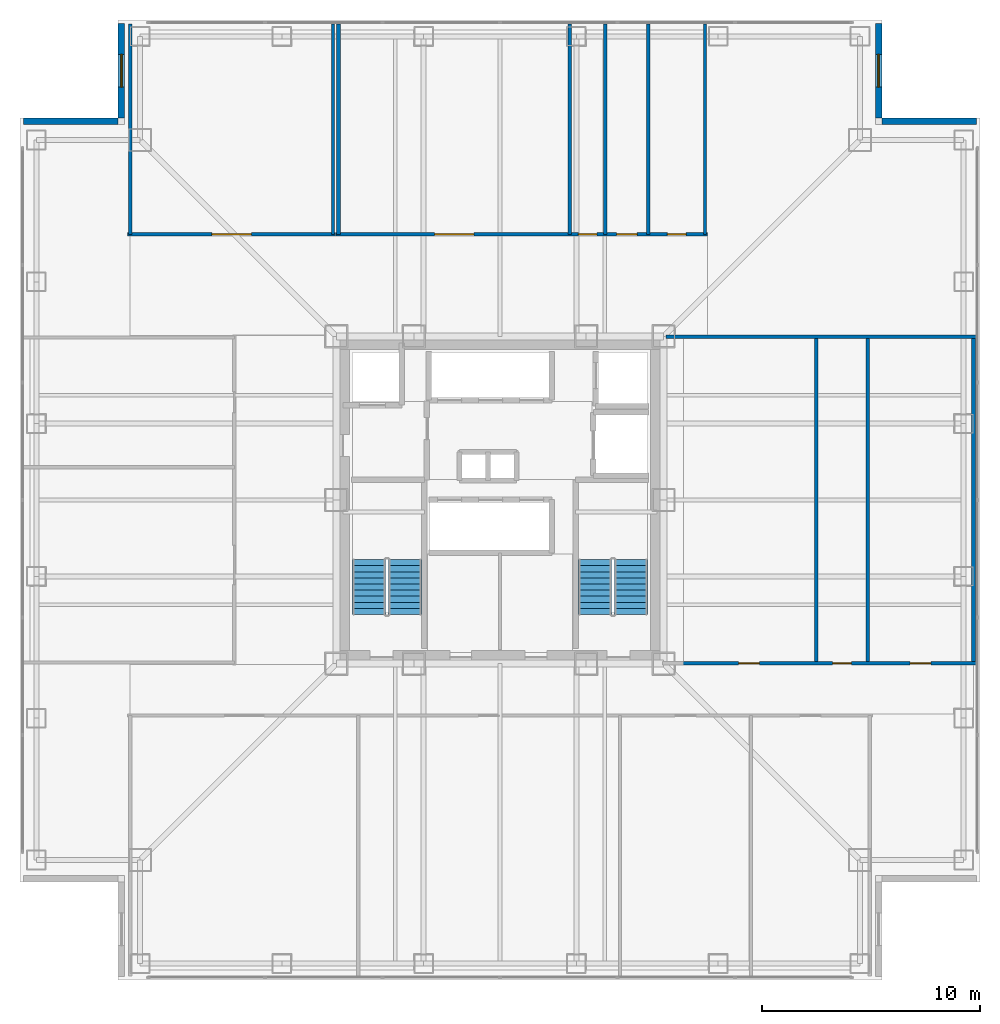
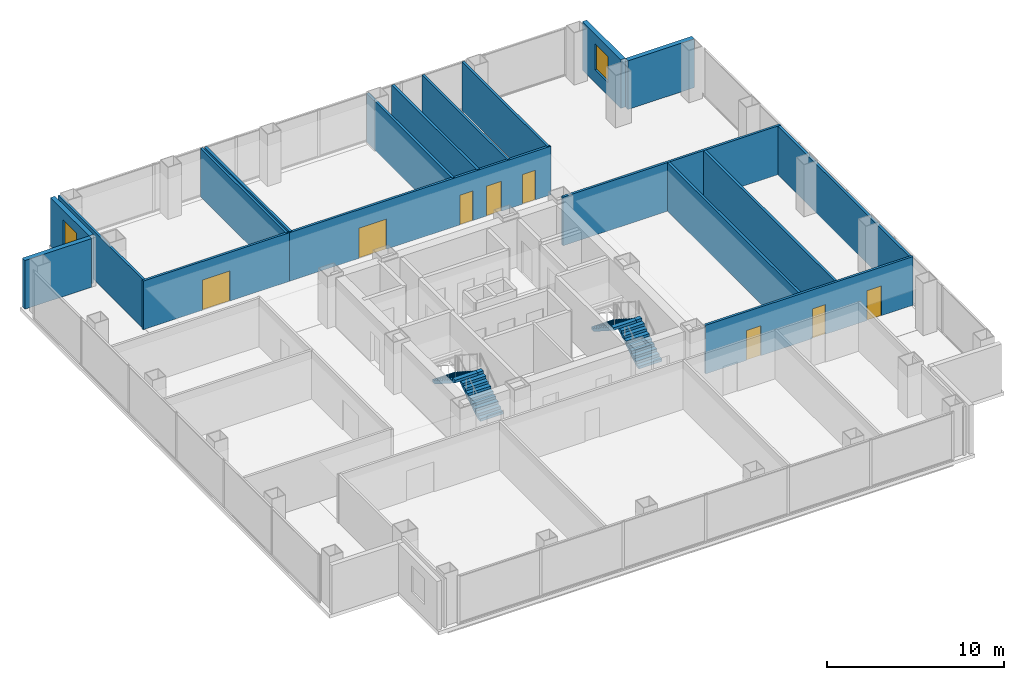
# One storey, part 11 of 14: 18 walls, 8 doors, 4 stair flights, 2 windows, 10 openings, 2 elements without a shape of their own.
"""IFC4 building model written with IfcOpenShell, lengths in metres."""

from ifc_helpers import new_model, si_unit, direction, frame, frame_2d, origin, place, context, subcontext, project, spatial, polyline, rectangle, outline, extrude, material, layer, layer_set, type_object, element, fill, aggregate, save


model = new_model("IFC4")

# Units and contexts
model_context = context("Model", 3, precision=1e-05, world=origin(), true_north=direction((0.0, 1.0)))
body_context = subcontext(model_context, "Body", "Model", "MODEL_VIEW")
ifc_project = project(units=[si_unit("LENGTHUNIT", "METRE"), si_unit("AREAUNIT", "SQUARE_METRE"), si_unit("VOLUMEUNIT", "CUBIC_METRE"), si_unit("PLANEANGLEUNIT", "RADIAN"), si_unit("MASSUNIT", "GRAM", prefix="KILO")], contexts=[model_context])

# Site, building, storey
site_placement = place(None, origin())
site = spatial("IfcSite", under=ifc_project, at=site_placement, CompositionType="ELEMENT")
building_placement = place(site_placement, origin())
building = spatial("IfcBuilding", under=site, at=building_placement, Name="Trevonay Congress Spire", CompositionType="ELEMENT")
storey_placement = place(building_placement, frame((0.0, 0.0, 119.199951171875)))
storey = spatial("IfcBuildingStorey", under=building, at=storey_placement, Name="L30", CompositionType="ELEMENT", Elevation=119.199951171875)

# Wall, opening, door
ifc_material_1 = material(Name="Concrete C40/50", Category="concrete")
ifc_layer_1 = layer(ifc_material_1, 0.14990234375, Name="Concrete C40/50")
ifc_layer_set_1 = layer_set([ifc_layer_1], Name="Concrete C40/50")
wall_type_1 = type_object("IfcWallType", Name="WAL-CORR-150", PredefinedType="PARTITIONING", material=ifc_layer_set_1)
wall_1_placement = place(storey_placement, frame((-17.070068359375, 12.179931640625, 0.0), z_axis=(0.0, 0.0, 1.0), x_axis=(1.0, 0.0, 0.0)))
wall_1 = element("IfcWall", 1, at=wall_1_placement, inside=storey, type_object=wall_type_1, Name="L30 interior wall WP-L30NW-COR", PredefinedType="PARTITIONING", context=body_context, shape_type="SweptSolid", body=[
    extrude(rectangle(XDim=9.5400390625, YDim=0.14990234375, at=frame_2d((4.77001953125, 0.0))), origin(), (0.0, 0.0, 1.0), 3.360107421875),
])
opening_1_placement = place(wall_1_placement, frame((3.8701171875, 0.0, 0.0)))
opening_1 = element("IfcOpeningElement", 2, at=opening_1_placement, cuts=wall_1, Name="Opening D09", PredefinedType="OPENING", context=body_context, shape_type="SweptSolid", body=[
    extrude(rectangle(XDim=1.800048828125, YDim=2.080078125, at=frame_2d((0.89990234375, 1.0400390625))), frame((0.0, 0.0849609375, 0.0), z_axis=(0.0, -1.0, 0.0), x_axis=(1.0, 0.0, 0.0)), (0.0, 0.0, 1.0), 0.169921875),
])
ifc_material_2 = material(Name="Pale Anodised Aluminium EN AW-6063-T6", Category="aluminium")
door_type_1 = type_object("IfcDoorType", Name="DOR-CONF-DBL", OperationType="DOUBLE_DOOR_SINGLE_SWING", PredefinedType="DOOR", material=ifc_material_2)
door_1_placement = place(opening_1_placement, origin())
door_1 = element("IfcDoor", 3, at=door_1_placement, inside=storey, type_object=door_type_1, Name="L30 North-West Terrace Cafe Lounge Door", OperationType="DOUBLE_DOOR_SINGLE_SWING", OverallHeight=2.080078125, OverallWidth=1.800048828125, PredefinedType="DOOR", context=body_context, shape_type="SweptSolid", body=[
    extrude(rectangle(XDim=1.800048828125, YDim=2.080078125, at=frame_2d((0.89990234375, 1.0400390625))), frame((0.0, 0.02490234375, 0.0), z_axis=(0.0, -1.0, 0.0), x_axis=(1.0, 0.0, 0.0)), (0.0, 0.0, 1.0), 0.050048828125),
])
fill(opening_1, door_1)

# Wall, openings, doors
wall_2_placement = place(storey_placement, frame((-7.52001953125, 12.179931640625, 0.0), z_axis=(0.0, 0.0, 1.0), x_axis=(1.0, 0.0, 0.0)))
wall_2 = element("IfcWall", 4, at=wall_2_placement, inside=storey, type_object=wall_type_1, Name="L30 interior wall WP-L30NE-COR", PredefinedType="PARTITIONING", context=body_context, shape_type="SweptSolid", body=[
    extrude(rectangle(XDim=17.0400390625, YDim=0.14990234375, at=frame_2d((8.52001953125, 0.0))), origin(), (0.0, 0.0, 1.0), 3.360107421875),
])
opening_2_placement = place(wall_2_placement, frame((4.52001953125, 0.0, 0.0)))
opening_2 = element("IfcOpeningElement", 5, at=opening_2_placement, cuts=wall_2, Name="Opening D09", PredefinedType="OPENING", context=body_context, shape_type="SweptSolid", body=[
    extrude(rectangle(XDim=1.800048828125, YDim=2.080078125, at=frame_2d((0.89990234375, 1.0400390625))), frame((0.0, 0.0849609375, 0.0), z_axis=(0.0, -1.0, 0.0), x_axis=(1.0, 0.0, 0.0)), (0.0, 0.0, 1.0), 0.169921875),
])
opening_3_placement = place(wall_2_placement, frame((11.110107421875, 0.0, 0.0)))
opening_3 = element("IfcOpeningElement", 6, at=opening_3_placement, cuts=wall_2, Name="Opening D10", PredefinedType="OPENING", context=body_context, shape_type="SweptSolid", body=[
    extrude(rectangle(XDim=0.85009765625, YDim=2.050048828125, at=frame_2d((0.425048828125, 1.02490234375))), frame((0.0, 0.0849609375, 0.0), z_axis=(0.0, -1.0, 0.0), x_axis=(1.0, 0.0, 0.0)), (0.0, 0.0, 1.0), 0.169921875),
])
opening_4_placement = place(wall_2_placement, frame((12.860107421875, 0.0, 0.0)))
opening_4 = element("IfcOpeningElement", 7, at=opening_4_placement, cuts=wall_2, Name="Opening D07", PredefinedType="OPENING", context=body_context, shape_type="SweptSolid", body=[
    extrude(rectangle(XDim=0.949951171875, YDim=2.06005859375, at=frame_2d((0.47509765625, 1.030029296875))), frame((0.0, 0.0849609375, 0.0), z_axis=(0.0, -1.0, 0.0), x_axis=(1.0, 0.0, 0.0)), (0.0, 0.0, 1.0), 0.169921875),
])
opening_5_placement = place(wall_2_placement, frame((15.195068359375, 0.0, 0.0)))
opening_5 = element("IfcOpeningElement", 8, at=opening_5_placement, cuts=wall_2, Name="Opening D10", PredefinedType="OPENING", context=body_context, shape_type="SweptSolid", body=[
    extrude(rectangle(XDim=0.85009765625, YDim=2.050048828125, at=frame_2d((0.425048828125, 1.02490234375))), frame((0.0, 0.0849609375, 0.0), z_axis=(0.0, -1.0, 0.0), x_axis=(1.0, 0.0, 0.0)), (0.0, 0.0, 1.0), 0.169921875),
])
door_2_placement = place(opening_2_placement, origin())
door_2 = element("IfcDoor", 9, at=door_2_placement, inside=storey, type_object=door_type_1, Name="L30 International Press Club Lounge Door", OperationType="DOUBLE_DOOR_SINGLE_SWING", OverallHeight=2.080078125, OverallWidth=1.800048828125, PredefinedType="DOOR", context=body_context, shape_type="SweptSolid", body=[
    extrude(rectangle(XDim=1.800048828125, YDim=2.080078125, at=frame_2d((0.89990234375, 1.0400390625))), frame((0.0, 0.02490234375, 0.0), z_axis=(0.0, -1.0, 0.0), x_axis=(1.0, 0.0, 0.0)), (0.0, 0.0, 1.0), 0.050048828125),
])
fill(opening_2, door_2)
door_type_2 = type_object("IfcDoorType", Name="DOR-OFFICE-95", OperationType="NOTDEFINED", PredefinedType="DOOR", material=ifc_material_2)
door_3_placement = place(opening_4_placement, origin())
door_3 = element("IfcDoor", 10, at=door_3_placement, inside=storey, type_object=door_type_2, Name="L30 Floor Supplies and Copy Room Door", OperationType="SINGLE_SWING_LEFT", OverallHeight=2.06005859375, OverallWidth=0.949951171875, PredefinedType="DOOR", context=body_context, shape_type="SweptSolid", body=[
    extrude(rectangle(XDim=0.949951171875, YDim=2.06005859375, at=frame_2d((0.47509765625, 1.030029296875))), frame((0.0, 0.02490234375, 0.0), z_axis=(0.0, -1.0, 0.0), x_axis=(1.0, 0.0, 0.0)), (0.0, 0.0, 1.0), 0.050048828125),
])
fill(opening_4, door_3)
door_type_3 = type_object("IfcDoorType", Name="DOR-WC-85", OperationType="NOTDEFINED", PredefinedType="DOOR", material=ifc_material_2)
door_4_placement = place(opening_3_placement, origin())
door_4 = element("IfcDoor", 11, at=door_4_placement, inside=storey, type_object=door_type_3, Name="L30 Accessible WC Door", OperationType="SINGLE_SWING_RIGHT", OverallHeight=2.050048828125, OverallWidth=0.85009765625, PredefinedType="DOOR", context=body_context, shape_type="SweptSolid", body=[
    extrude(rectangle(XDim=0.85009765625, YDim=2.050048828125, at=frame_2d((0.425048828125, 1.02490234375))), frame((0.0, 0.02490234375, 0.0), z_axis=(0.0, -1.0, 0.0), x_axis=(1.0, 0.0, 0.0)), (0.0, 0.0, 1.0), 0.050048828125),
])
fill(opening_3, door_4)
door_5_placement = place(opening_5_placement, origin())
door_5 = element("IfcDoor", 12, at=door_5_placement, inside=storey, type_object=door_type_3, Name="L30 Female Restroom WC Door", OperationType="SINGLE_SWING_RIGHT", OverallHeight=2.050048828125, OverallWidth=0.85009765625, PredefinedType="DOOR", context=body_context, shape_type="SweptSolid", body=[
    extrude(rectangle(XDim=0.85009765625, YDim=2.050048828125, at=frame_2d((0.425048828125, 1.02490234375))), frame((0.0, 0.02490234375, 0.0), z_axis=(0.0, -1.0, 0.0), x_axis=(1.0, 0.0, 0.0)), (0.0, 0.0, 1.0), 0.050048828125),
])
fill(opening_5, door_5)

wall_3_placement = place(storey_placement, frame((8.280029296875, -7.47998046875, 0.0), z_axis=(0.0, 0.0, 1.0), x_axis=(1.0, 0.0, 0.0)))
wall_3 = element("IfcWall", 13, at=wall_3_placement, inside=storey, type_object=wall_type_1, Name="L30 interior wall WP-L30E-COR", PredefinedType="PARTITIONING", context=body_context, shape_type="SweptSolid", body=[
    extrude(rectangle(XDim=13.5400390625, YDim=0.14990234375, at=frame_2d((6.77001953125, 0.0))), origin(), (0.0, 0.0, 1.0), 3.360107421875),
])
opening_6_placement = place(wall_3_placement, frame((2.655029296875, 0.0, 0.0)))
opening_6 = element("IfcOpeningElement", 14, at=opening_6_placement, cuts=wall_3, Name="Opening D07", PredefinedType="OPENING", context=body_context, shape_type="SweptSolid", body=[
    extrude(rectangle(XDim=0.949951171875, YDim=2.06005859375, at=frame_2d((0.47509765625, 1.030029296875))), frame((0.0, 0.0849609375, 0.0), z_axis=(0.0, -1.0, 0.0), x_axis=(1.0, 0.0, 0.0)), (0.0, 0.0, 1.0), 0.169921875),
])
opening_7_placement = place(wall_3_placement, frame((6.969970703125, 0.0, 0.0)))
opening_7 = element("IfcOpeningElement", 15, at=opening_7_placement, cuts=wall_3, Name="Opening D10", PredefinedType="OPENING", context=body_context, shape_type="SweptSolid", body=[
    extrude(rectangle(XDim=0.85009765625, YDim=2.050048828125, at=frame_2d((0.425048828125, 1.02490234375))), frame((0.0, 0.0849609375, 0.0), z_axis=(0.0, -1.0, 0.0), x_axis=(1.0, 0.0, 0.0)), (0.0, 0.0, 1.0), 0.169921875),
])
opening_8_placement = place(wall_3_placement, frame((10.52001953125, 0.0, 0.0)))
opening_8 = element("IfcOpeningElement", 16, at=opening_8_placement, cuts=wall_3, Name="Opening D07", PredefinedType="OPENING", context=body_context, shape_type="SweptSolid", body=[
    extrude(rectangle(XDim=0.949951171875, YDim=2.06005859375, at=frame_2d((0.47509765625, 1.030029296875))), frame((0.0, 0.0849609375, 0.0), z_axis=(0.0, -1.0, 0.0), x_axis=(1.0, 0.0, 0.0)), (0.0, 0.0, 1.0), 0.169921875),
])
door_6_placement = place(opening_6_placement, origin())
door_6 = element("IfcDoor", 17, at=door_6_placement, inside=storey, type_object=door_type_2, Name="L30 Press Editorial Office Door", OperationType="SINGLE_SWING_LEFT", OverallHeight=2.06005859375, OverallWidth=0.949951171875, PredefinedType="DOOR", context=body_context, shape_type="SweptSolid", body=[
    extrude(rectangle(XDim=0.949951171875, YDim=2.06005859375, at=frame_2d((0.47509765625, 1.030029296875))), frame((0.0, 0.02490234375, 0.0), z_axis=(0.0, -1.0, 0.0), x_axis=(1.0, 0.0, 0.0)), (0.0, 0.0, 1.0), 0.050048828125),
])
fill(opening_6, door_6)
door_7_placement = place(opening_8_placement, origin())
door_7 = element("IfcDoor", 18, at=door_7_placement, inside=storey, type_object=door_type_2, Name="L30 Floor Supplies and Copy Room Door", OperationType="SINGLE_SWING_LEFT", OverallHeight=2.06005859375, OverallWidth=0.949951171875, PredefinedType="DOOR", context=body_context, shape_type="SweptSolid", body=[
    extrude(rectangle(XDim=0.949951171875, YDim=2.06005859375, at=frame_2d((0.47509765625, 1.030029296875))), frame((0.0, 0.02490234375, 0.0), z_axis=(0.0, -1.0, 0.0), x_axis=(1.0, 0.0, 0.0)), (0.0, 0.0, 1.0), 0.050048828125),
])
fill(opening_8, door_7)
door_8_placement = place(opening_7_placement, origin())
door_8 = element("IfcDoor", 19, at=door_8_placement, inside=storey, type_object=door_type_3, Name="L30 Male Restroom WC Door", OperationType="SINGLE_SWING_RIGHT", OverallHeight=2.050048828125, OverallWidth=0.85009765625, PredefinedType="DOOR", context=body_context, shape_type="SweptSolid", body=[
    extrude(rectangle(XDim=0.85009765625, YDim=2.050048828125, at=frame_2d((0.425048828125, 1.02490234375))), frame((0.0, 0.02490234375, 0.0), z_axis=(0.0, -1.0, 0.0), x_axis=(1.0, 0.0, 0.0)), (0.0, 0.0, 1.0), 0.050048828125),
])
fill(opening_7, door_8)

# Wall, opening, window
ifc_material_3 = material(Name="Precast concrete C40/50", Category="concrete")
ifc_layer_2 = layer(ifc_material_3, 0.300048828125, Name="Precast concrete C40/50")
ifc_layer_set_2 = layer_set([ifc_layer_2], Name="Precast concrete C40/50")
wall_type_2 = type_object("IfcWallType", Name="WAL-EXT-PRECAST-300", PredefinedType="SOLIDWALL", material=ifc_layer_set_2)
wall_4_placement = place(storey_placement, frame((17.35009765625, 21.85009765625, 0.0), z_axis=(0.0, 0.0, 1.0), x_axis=(0.0, -1.0, 0.0)))
wall_4 = element("IfcWall", 20, at=wall_4_placement, inside=storey, type_object=wall_type_2, Name="L30 NE re-entrant notch exterior wall 1", PredefinedType="SOLIDWALL", context=body_context, shape_type="SweptSolid", body=[
    extrude(rectangle(XDim=4.35009765625, YDim=0.300048828125, at=frame_2d((2.175048828125, 0.0))), origin(), (0.0, 0.0, 1.0), 3.360107421875),
])
opening_9_placement = place(wall_4_placement, frame((1.425048828125, 0.0, 0.89990234375)))
opening_9 = element("IfcOpeningElement", 21, at=opening_9_placement, cuts=wall_4, Name="Opening WN03", PredefinedType="OPENING", context=body_context, shape_type="SweptSolid", body=[
    extrude(rectangle(XDim=1.5, YDim=1.800048828125, at=frame_2d((0.75, 0.89990234375))), frame((0.0, 0.16015625, 0.0), z_axis=(0.0, -1.0, 0.0), x_axis=(1.0, 0.0, 0.0)), (0.0, 0.0, 1.0), 0.320068359375),
])
ifc_material_4 = material(Name="Insulated Low-E Vision Glass IGU", Category="glass")
window_type = type_object("IfcWindowType", Name="WIN-NOTCH-150X180", PartitioningType="SINGLE_PANEL", PredefinedType="WINDOW", material=ifc_material_4)
window_1_placement = place(opening_9_placement, origin())
window_1 = element("IfcWindow", 22, at=window_1_placement, inside=storey, type_object=window_type, Name="L30 NE corner notch window", OverallHeight=1.800048828125, OverallWidth=1.5, PartitioningType="SINGLE_PANEL", PredefinedType="WINDOW", context=body_context, shape_type="SweptSolid", body=[
    extrude(rectangle(XDim=1.5, YDim=1.800048828125, at=frame_2d((0.75, 0.89990234375))), frame((0.0, 0.030029296875, 0.0), z_axis=(0.0, -1.0, 0.0), x_axis=(1.0, 0.0, 0.0)), (0.0, 0.0, 1.0), 0.06005859375),
])
fill(opening_9, window_1)

# Wall
wall_5_placement = place(storey_placement, frame((21.85009765625, 17.35009765625, 0.0), z_axis=(0.0, 0.0, 1.0), x_axis=(-1.0, 0.0, 0.0)))
element("IfcWall", 23, at=wall_5_placement, inside=storey, type_object=wall_type_2, Name="L30 NE re-entrant notch exterior wall 2", PredefinedType="SOLIDWALL", context=body_context, shape_type="SweptSolid", body=[
    extrude(rectangle(XDim=4.35009765625, YDim=0.300048828125, at=frame_2d((2.175048828125, 0.0))), origin(), (0.0, 0.0, 1.0), 3.360107421875),
])

# Wall, opening, window
wall_6_placement = place(storey_placement, frame((-17.35009765625, 21.85009765625, 0.0), z_axis=(0.0, 0.0, 1.0), x_axis=(0.0, -1.0, 0.0)))
wall_6 = element("IfcWall", 24, at=wall_6_placement, inside=storey, type_object=wall_type_2, Name="L30 NW re-entrant notch exterior wall 1", PredefinedType="SOLIDWALL", context=body_context, shape_type="SweptSolid", body=[
    extrude(rectangle(XDim=4.35009765625, YDim=0.300048828125, at=frame_2d((2.175048828125, 0.0))), origin(), (0.0, 0.0, 1.0), 3.360107421875),
])
opening_10_placement = place(wall_6_placement, frame((1.425048828125, 0.0, 0.89990234375)))
opening_10 = element("IfcOpeningElement", 25, at=opening_10_placement, cuts=wall_6, Name="Opening WN03", PredefinedType="OPENING", context=body_context, shape_type="SweptSolid", body=[
    extrude(rectangle(XDim=1.5, YDim=1.800048828125, at=frame_2d((0.75, 0.89990234375))), frame((0.0, 0.16015625, 0.0), z_axis=(0.0, -1.0, 0.0), x_axis=(1.0, 0.0, 0.0)), (0.0, 0.0, 1.0), 0.320068359375),
])
window_2_placement = place(opening_10_placement, origin())
window_2 = element("IfcWindow", 26, at=window_2_placement, inside=storey, type_object=window_type, Name="L30 NW corner notch window", OverallHeight=1.800048828125, OverallWidth=1.5, PartitioningType="SINGLE_PANEL", PredefinedType="WINDOW", context=body_context, shape_type="SweptSolid", body=[
    extrude(rectangle(XDim=1.5, YDim=1.800048828125, at=frame_2d((0.75, 0.89990234375))), frame((0.0, 0.030029296875, 0.0), z_axis=(0.0, -1.0, 0.0), x_axis=(1.0, 0.0, 0.0)), (0.0, 0.0, 1.0), 0.06005859375),
])
fill(opening_10, window_2)

# Walls
wall_7_placement = place(storey_placement, frame((-21.85009765625, 17.35009765625, 0.0), z_axis=(0.0, 0.0, 1.0), x_axis=(1.0, 0.0, 0.0)))
element("IfcWall", 27, at=wall_7_placement, inside=storey, type_object=wall_type_2, Name="L30 NW re-entrant notch exterior wall 2", PredefinedType="SOLIDWALL", context=body_context, shape_type="SweptSolid", body=[
    extrude(rectangle(XDim=4.35009765625, YDim=0.300048828125, at=frame_2d((2.175048828125, 0.0))), origin(), (0.0, 0.0, 1.0), 3.360107421875),
])
ifc_layer_3 = layer(ifc_material_1, 0.14990234375, Name="Concrete C40/50")
ifc_layer_set_3 = layer_set([ifc_layer_3], Name="Concrete C40/50")
wall_type_3 = type_object("IfcWallType", Name="WAL-PART-150", PredefinedType="PARTITIONING", material=ifc_layer_set_3)
for number, where, z_axis, x_axis, name in (
    (28, (-16.949951171875, 12.179931640625, 0.0), (0.0, 0.0, 1.0), (0.0, 1.0, 0.0), "L30 interior wall WP-L30NW-DIV1"),
    (29, (-7.64990234375, 12.179931640625, 0.0), (0.0, 0.0, 1.0), (0.0, 1.0, 0.0), "L30 interior wall WP-L30NW-DIV2"),
    (30, (6.800048828125, 12.179931640625, 0.0), (0.0, 0.0, 1.0), (0.0, 1.0, 0.0), "L30 interior wall WP-L30NE-DIV3"),
    (31, (9.39990234375, 12.179931640625, 0.0), (0.0, 0.0, 1.0), (0.0, 1.0, 0.0), "L30 interior wall WP-L30NE-DIV4"),
):
    element("IfcWall", number, at=place(storey_placement, frame(where, z_axis=z_axis, x_axis=x_axis)), inside=storey, type_object=wall_type_3, Name=name, PredefinedType="PARTITIONING", context=body_context, shape_type="SweptSolid", body=[
        extrude(rectangle(XDim=9.64013671875, YDim=0.14990234375, at=frame_2d((4.820068359375, 0.0))), origin(), (0.0, 0.0, 1.0), 3.360107421875),
    ])
wall_8_placement = place(storey_placement, frame((7.60009765625, 7.47998046875, 0.0), z_axis=(0.0, 0.0, 1.0), x_axis=(1.0, 0.0, 0.0)))
element("IfcWall", 32, at=wall_8_placement, inside=storey, type_object=wall_type_3, Name="L30 interior wall WP-L30E-NCLS", PredefinedType="PARTITIONING", context=body_context, shape_type="SweptSolid", body=[
    extrude(rectangle(XDim=14.219970703125, YDim=0.14990234375, at=frame_2d((7.10986328125, 0.0))), origin(), (0.0, 0.0, 1.0), 3.360107421875),
])
ifc_layer_4 = layer(ifc_material_1, 0.1650390625, Name="Concrete C40/50")
ifc_layer_set_4 = layer_set([ifc_layer_4], Name="Concrete C40/50")
wall_type_4 = type_object("IfcWallType", Name="WAL-WET-165", PredefinedType="PLUMBINGWALL", material=ifc_layer_set_4)
for number, where, z_axis, x_axis, name in (
    (33, (4.830078125, 12.179931640625, 0.0), (0.0, 0.0, 1.0), (0.0, 1.0, 0.0), "L30 interior wall WP-L30NE-WCS2"),
    (34, (-7.39990234375, 12.179931640625, 0.0), (0.0, 0.0, 1.0), (0.0, 1.0, 0.0), "L30 interior wall WP-L30NE-DIV1"),
    (35, (3.199951171875, 12.179931640625, 0.0), (0.0, 0.0, 1.0), (0.0, 1.0, 0.0), "L30 interior wall WP-L30NE-DIV2"),
):
    element("IfcWall", number, at=place(storey_placement, frame(where, z_axis=z_axis, x_axis=x_axis)), inside=storey, type_object=wall_type_4, Name=name, PredefinedType="PLUMBINGWALL", context=body_context, shape_type="SweptSolid", body=[
        extrude(rectangle(XDim=9.64013671875, YDim=0.1650390625, at=frame_2d((4.820068359375, 0.0))), origin(), (0.0, 0.0, 1.0), 3.360107421875),
    ])
for number, where, z_axis, x_axis, name in (
    (36, (16.85009765625, -7.47998046875, 0.0), (0.0, 0.0, 1.0), (0.0, 1.0, 0.0), "L30 interior wall WP-L30E-WCS2"),
    (37, (14.5, -7.47998046875, 0.0), (0.0, 0.0, 1.0), (0.0, 1.0, 0.0), "L30 interior wall WP-L30E-DIV1"),
    (38, (21.699951171875, -7.47998046875, 0.0), (0.0, 0.0, 1.0), (0.0, 1.0, 0.0), "L30 interior wall WP-L30E-DIV2"),
):
    element("IfcWall", number, at=place(storey_placement, frame(where, z_axis=z_axis, x_axis=x_axis)), inside=storey, type_object=wall_type_4, Name=name, PredefinedType="PLUMBINGWALL", context=body_context, shape_type="SweptSolid", body=[
        extrude(rectangle(XDim=14.8798828125, YDim=0.1650390625, at=frame_2d((7.43994140625, 0.0))), origin(), (0.0, 0.0, 1.0), 3.360107421875),
    ])

# Stair, stair flights
stair_type_1 = type_object("IfcStairType", Name="STR-ST-1", PredefinedType="HALF_TURN_STAIR", material=ifc_material_1)
stair_1_placement = place(storey_placement, origin())
stair_1 = element("IfcStair", 39, at=stair_1_placement, inside=storey, type_object=stair_type_1, Name="L30 Protected Exit Stair ST-1", PredefinedType="HALF_TURN_STAIR")
stair_flight_type_1 = type_object("IfcStairFlightType", Name="SFL-ST-1", PredefinedType="STRAIGHT", material=ifc_material_1)
stair_flight_1_placement = place(storey_placement, frame((-4.35009765625, -5.25, 0.0), z_axis=(0.0, 0.0, 1.0), x_axis=(0.0, 1.0, 0.0)))
stair_flight_1 = element("IfcStairFlight", 40, at=stair_flight_1_placement, type_object=stair_flight_type_1, Name="ST-1 flight 1", NumberOfRisers=10, NumberOfTreads=9, PredefinedType="STRAIGHT", RiserHeight=0.18, TreadLength=0.28, context=body_context, shape_type="SweptSolid", body=[
    extrude(outline(polyline([(0.0, 0.0), (0.0, 0.179931640625), (0.280029296875, 0.179931640625), (0.280029296875, 0.360107421875), (0.56005859375, 0.360107421875), (0.56005859375, 0.5400390625), (0.840087890625, 0.5400390625), (0.840087890625, 0.719970703125), (1.1201171875, 0.719970703125), (1.1201171875, 0.89990234375), (1.39990234375, 0.89990234375), (1.39990234375, 1.080078125), (1.679931640625, 1.080078125), (1.679931640625, 1.260009765625), (1.9599609375, 1.260009765625), (1.9599609375, 1.43994140625), (2.239990234375, 1.43994140625), (2.239990234375, 1.6201171875), (2.52001953125, 1.6201171875), (2.52001953125, 1.800048828125), (2.52001953125, 1.44189453125), (0.277099609375, 0.0), (0.0, 0.0)])), frame((0.0, 0.75, 0.0), z_axis=(0.0, -1.0, 0.0), x_axis=(1.0, 0.0, 0.0)), (0.0, 0.0, 1.0), 1.5),
])
stair_flight_2_placement = place(storey_placement, frame((-6.0, -2.72998046875, 1.800048828125), z_axis=(0.0, 0.0, 1.0), x_axis=(0.0, -1.0, 0.0)))
stair_flight_2 = element("IfcStairFlight", 41, at=stair_flight_2_placement, type_object=stair_flight_type_1, Name="ST-1 flight 2", NumberOfRisers=10, NumberOfTreads=9, PredefinedType="STRAIGHT", RiserHeight=0.18, TreadLength=0.28, context=body_context, shape_type="SweptSolid", body=[
    extrude(outline(polyline([(0.0, 0.0), (0.0, 0.179931640625), (0.280029296875, 0.179931640625), (0.280029296875, 0.360107421875), (0.56005859375, 0.360107421875), (0.56005859375, 0.5400390625), (0.840087890625, 0.5400390625), (0.840087890625, 0.719970703125), (1.1201171875, 0.719970703125), (1.1201171875, 0.89990234375), (1.39990234375, 0.89990234375), (1.39990234375, 1.080078125), (1.679931640625, 1.080078125), (1.679931640625, 1.260009765625), (1.9599609375, 1.260009765625), (1.9599609375, 1.43994140625), (2.239990234375, 1.43994140625), (2.239990234375, 1.6201171875), (2.52001953125, 1.6201171875), (2.52001953125, 1.800048828125), (2.52001953125, 1.44189453125), (0.277099609375, 0.0), (0.0, 0.0)])), frame((0.0, 0.75, 0.0), z_axis=(0.0, -1.0, 0.0), x_axis=(1.0, 0.0, 0.0)), (0.0, 0.0, 1.0), 1.5),
])
aggregate(stair_1, [stair_flight_1, stair_flight_2])

stair_type_2 = type_object("IfcStairType", Name="STR-ST-2", PredefinedType="HALF_TURN_STAIR", material=ifc_material_1)
stair_2_placement = place(storey_placement, origin())
stair_2 = element("IfcStair", 42, at=stair_2_placement, inside=storey, type_object=stair_type_2, Name="L30 Protected Exit Stair ST-2", PredefinedType="HALF_TURN_STAIR")
stair_flight_type_2 = type_object("IfcStairFlightType", Name="SFL-ST-2", PredefinedType="STRAIGHT", material=ifc_material_1)
stair_flight_3_placement = place(storey_placement, frame((6.0, -5.25, 0.0), z_axis=(0.0, 0.0, 1.0), x_axis=(0.0, 1.0, 0.0)))
stair_flight_3 = element("IfcStairFlight", 43, at=stair_flight_3_placement, type_object=stair_flight_type_2, Name="ST-2 flight 1", NumberOfRisers=10, NumberOfTreads=9, PredefinedType="STRAIGHT", RiserHeight=0.18, TreadLength=0.28, context=body_context, shape_type="SweptSolid", body=[
    extrude(outline(polyline([(0.0, 0.0), (0.0, 0.179931640625), (0.280029296875, 0.179931640625), (0.280029296875, 0.360107421875), (0.56005859375, 0.360107421875), (0.56005859375, 0.5400390625), (0.840087890625, 0.5400390625), (0.840087890625, 0.719970703125), (1.1201171875, 0.719970703125), (1.1201171875, 0.89990234375), (1.39990234375, 0.89990234375), (1.39990234375, 1.080078125), (1.679931640625, 1.080078125), (1.679931640625, 1.260009765625), (1.9599609375, 1.260009765625), (1.9599609375, 1.43994140625), (2.239990234375, 1.43994140625), (2.239990234375, 1.6201171875), (2.52001953125, 1.6201171875), (2.52001953125, 1.800048828125), (2.52001953125, 1.44189453125), (0.277099609375, 0.0), (0.0, 0.0)])), frame((0.0, 0.75, 0.0), z_axis=(0.0, -1.0, 0.0), x_axis=(1.0, 0.0, 0.0)), (0.0, 0.0, 1.0), 1.5),
])
stair_flight_4_placement = place(storey_placement, frame((4.35009765625, -2.72998046875, 1.800048828125), z_axis=(0.0, 0.0, 1.0), x_axis=(0.0, -1.0, 0.0)))
stair_flight_4 = element("IfcStairFlight", 44, at=stair_flight_4_placement, type_object=stair_flight_type_2, Name="ST-2 flight 2", NumberOfRisers=10, NumberOfTreads=9, PredefinedType="STRAIGHT", RiserHeight=0.18, TreadLength=0.28, context=body_context, shape_type="SweptSolid", body=[
    extrude(outline(polyline([(0.0, 0.0), (0.0, 0.179931640625), (0.280029296875, 0.179931640625), (0.280029296875, 0.360107421875), (0.56005859375, 0.360107421875), (0.56005859375, 0.5400390625), (0.840087890625, 0.5400390625), (0.840087890625, 0.719970703125), (1.1201171875, 0.719970703125), (1.1201171875, 0.89990234375), (1.39990234375, 0.89990234375), (1.39990234375, 1.080078125), (1.679931640625, 1.080078125), (1.679931640625, 1.260009765625), (1.9599609375, 1.260009765625), (1.9599609375, 1.43994140625), (2.239990234375, 1.43994140625), (2.239990234375, 1.6201171875), (2.52001953125, 1.6201171875), (2.52001953125, 1.800048828125), (2.52001953125, 1.44189453125), (0.277099609375, 0.0), (0.0, 0.0)])), frame((0.0, 0.75, 0.0), z_axis=(0.0, -1.0, 0.0), x_axis=(1.0, 0.0, 0.0)), (0.0, 0.0, 1.0), 1.5),
])
aggregate(stair_2, [stair_flight_3, stair_flight_4])

save(model, "model.ifc")
